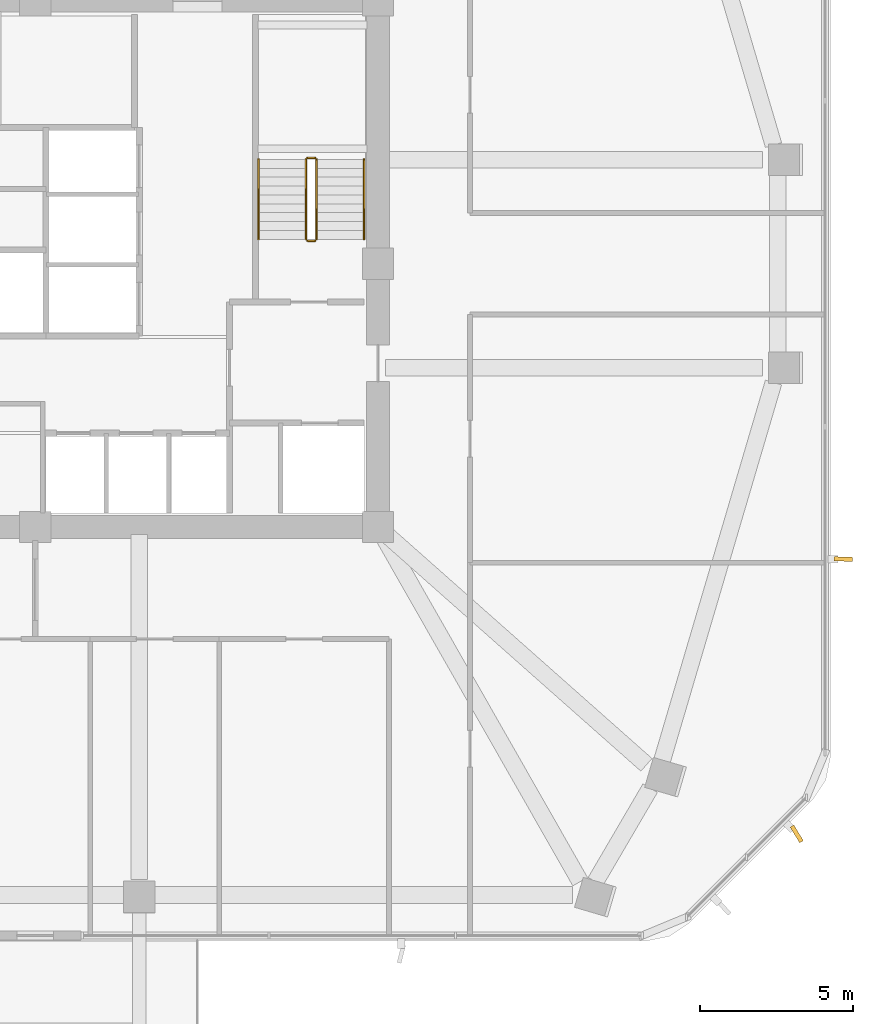
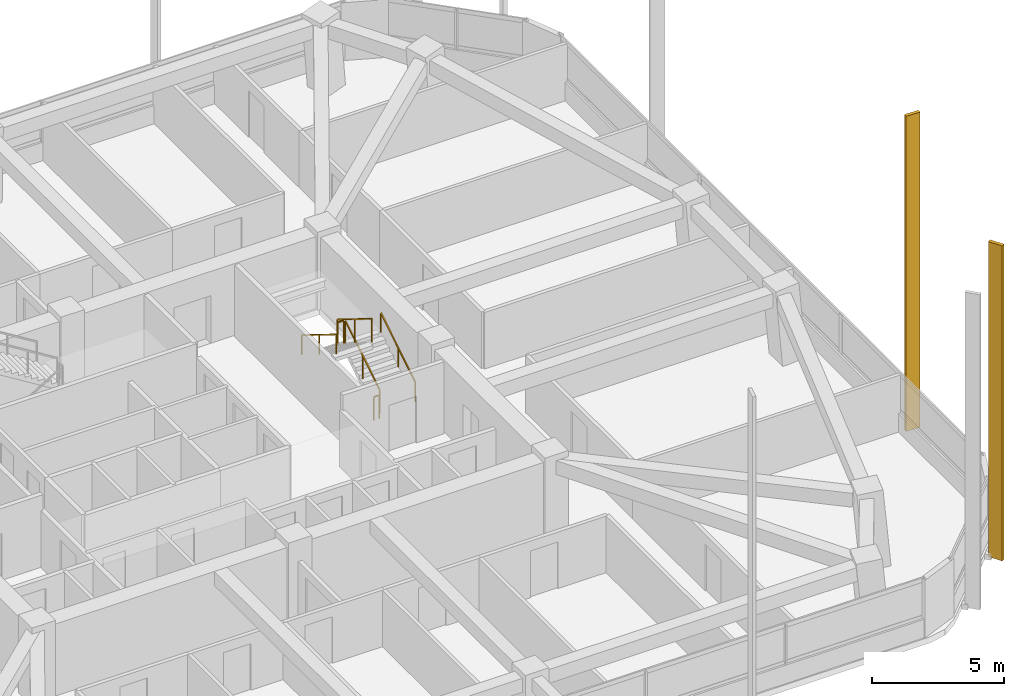
# One storey, part 14 of 15: 6 railings, 2 shading devices.
"""IFC4 building model written with IfcOpenShell, lengths in metres."""

from ifc_helpers import new_model, si_unit, derived_unit, direction, frame, origin, origin_2d, place, context, subcontext, project, spatial, rectangle, extrude, material, type_object, element, save


model = new_model("IFC4")

# Units and contexts
model_context = context("Model", 3, precision=1e-05, world=origin(), true_north=direction((0.0, 1.0)))
body_context = subcontext(model_context, "Body", "Model", "MODEL_VIEW")
ifc_project = project(units=[si_unit("LENGTHUNIT", "METRE"), si_unit("AREAUNIT", "SQUARE_METRE"), si_unit("VOLUMEUNIT", "CUBIC_METRE"), si_unit("PLANEANGLEUNIT", "RADIAN"), si_unit("MASSUNIT", "GRAM", prefix="KILO"), derived_unit("THERMALTRANSMITTANCEUNIT", [(si_unit("POWERUNIT", "WATT"), 1), (si_unit("LENGTHUNIT", "METRE"), -2), (si_unit("THERMODYNAMICTEMPERATUREUNIT", "KELVIN"), -1)])], contexts=[model_context])

# Site, building, storey
site_placement = place(None, origin())
site = spatial("IfcSite", under=ifc_project, at=site_placement, CompositionType="ELEMENT")
building_placement = place(site_placement, origin())
building = spatial("IfcBuilding", under=site, at=building_placement, Name="Koralith Skygarden Medical Center", CompositionType="ELEMENT")
storey_placement = place(building_placement, frame((0.0, 0.0, 99.179931640625)))
storey = spatial("IfcBuildingStorey", under=building, at=storey_placement, Name="L25", CompositionType="ELEMENT", Elevation=99.179931640625)

# Shading devices
ifc_material_1 = material(Name="Aluminium 6063-T6", Category="aluminium")
shading_device_type = type_object("IfcShadingDeviceType", Name="Limestone-Clad Solar Storm Fin 600", PredefinedType="USERDEFINED", material=ifc_material_1)
for number, where, z_axis, x_axis, name in (
    (1, (61.888916015625, 7.26806640625, -0.2001953125), (0.0, 0.0, 1.0), (0.517280366086, -0.855815998251, 0.0), "L25 SE Harmonic Solar Storm Fin 2"),
    (2, (63.4130859375, 16.2490234375, -0.2001953125), (0.0, 0.0, 1.0), (0.999357491162, -0.035841384727, 0.0), "L25 E Harmonic Solar Storm Fin 1"),
):
    element("IfcShadingDevice", number, at=place(storey_placement, frame(where, z_axis=z_axis, x_axis=x_axis)), inside=storey, type_object=shading_device_type, Name=name, ObjectType="SOLAR FIN", PredefinedType="USERDEFINED", context=body_context, shape_type="SweptSolid", body=[
        extrude(rectangle(XDim=0.60009765625, YDim=0.139892578125, at=origin_2d()), origin(), (0.0, 0.0, 1.0), 14.550048828125),
    ])

# Railings
ifc_material_2 = material(Name="Steel ASTM A500 Grade C", Category="steel")
railing_type_1 = type_object("IfcRailingType", Name="Stair Flight Tubular Handrail 920", PredefinedType="HANDRAIL", material=ifc_material_2)
railing_1_placement = place(storey_placement, frame((47.75, 26.699951171875, 0.18017578125)))
element("IfcRailing", 3, at=railing_1_placement, inside=storey, type_object=railing_type_1, Name="L25 ST2 stair handrail 1", PredefinedType="HANDRAIL", context=body_context, shape_type="SweptSolid", body=[
    extrude(rectangle(XDim=0.050048828125, YDim=0.050048828125, at=origin_2d()), frame((0.0, 0.001708984375, 0.89599609375), z_axis=(0.0, 0.849668407637, 0.527317358963), x_axis=(-1.0, 0.0, 0.0)), (0.0, 0.0, 1.0), 3.06787109375),
    extrude(rectangle(XDim=0.0419921875, YDim=0.0419921875, at=origin_2d()), origin(), (0.0, 0.0, 1.0), 0.867919921875),
    extrude(rectangle(XDim=0.0419921875, YDim=0.0419921875, at=origin_2d()), frame((0.0, 1.30517578125, 0.81005859375)), (0.0, 0.0, 1.0), 0.867919921875),
    extrude(rectangle(XDim=0.0419921875, YDim=0.0419921875, at=origin_2d()), frame((0.0, 2.610107421875, 1.619873046875)), (0.0, 0.0, 1.0), 0.867919921875),
])
railing_2_placement = place(storey_placement, frame((44.300048828125, 29.31005859375, 1.97998046875)))
element("IfcRailing", 4, at=railing_2_placement, inside=storey, type_object=railing_type_1, Name="L25 ST2 stair handrail 2", PredefinedType="HANDRAIL", context=body_context, shape_type="SweptSolid", body=[
    extrude(rectangle(XDim=0.050048828125, YDim=0.050048828125, at=origin_2d()), frame((0.0, -0.001708984375, 0.89599609375), z_axis=(0.0, -0.849632798774, 0.527374731332), x_axis=(1.0, 0.0, 0.0)), (0.0, 0.0, 1.0), 3.068115234375),
    extrude(rectangle(XDim=0.0419921875, YDim=0.0419921875, at=origin_2d()), origin(), (0.0, 0.0, 1.0), 0.867919921875),
    extrude(rectangle(XDim=0.0419921875, YDim=0.0419921875, at=origin_2d()), frame((0.0, -1.30517578125, 0.81005859375)), (0.0, 0.0, 1.0), 0.867919921875),
    extrude(rectangle(XDim=0.0419921875, YDim=0.0419921875, at=origin_2d()), frame((0.0, -2.610107421875, 1.6201171875)), (0.0, 0.0, 1.0), 0.867919921875),
])
railing_type_2 = type_object("IfcRailingType", Name="Stair Well Safety Guardrail 1100", PredefinedType="GUARDRAIL", material=ifc_material_2)
railing_3_placement = place(storey_placement, frame((46.199951171875, 26.699951171875, 0.18017578125)))
element("IfcRailing", 5, at=railing_3_placement, inside=storey, type_object=railing_type_2, Name="L25 ST2 stair guard 1", PredefinedType="GUARDRAIL", context=body_context, shape_type="SweptSolid", body=[
    extrude(rectangle(XDim=0.050048828125, YDim=0.050048828125, at=origin_2d()), frame((0.0, 0.001708984375, 1.076171875), z_axis=(0.0, 0.849668407637, 0.527317358963), x_axis=(-1.0, 0.0, 0.0)), (0.0, 0.0, 1.0), 3.06787109375),
    extrude(rectangle(XDim=0.0419921875, YDim=0.0419921875, at=origin_2d()), origin(), (0.0, 0.0, 1.0), 1.048095703125),
    extrude(rectangle(XDim=0.0419921875, YDim=0.0419921875, at=origin_2d()), frame((0.0, 1.30517578125, 0.81005859375)), (0.0, 0.0, 1.0), 1.048095703125),
    extrude(rectangle(XDim=0.0419921875, YDim=0.0419921875, at=origin_2d()), frame((0.0, 2.610107421875, 1.619873046875)), (0.0, 0.0, 1.0), 1.048095703125),
])
railing_4_placement = place(storey_placement, frame((46.14990234375, 29.360107421875, 1.800048828125)))
element("IfcRailing", 6, at=railing_4_placement, inside=storey, type_object=railing_type_2, Name="L25 ST2 stair guard 2", PredefinedType="GUARDRAIL", context=body_context, shape_type="SweptSolid", body=[
    extrude(rectangle(XDim=0.050048828125, YDim=0.050048828125, at=origin_2d()), frame((-0.001953125, 0.0, 1.0751953125), z_axis=(-1.0, 0.0, 0.0), x_axis=(0.0, -1.0, 0.0)), (0.0, 0.0, 1.0), 0.24609375),
    extrude(rectangle(XDim=0.0419921875, YDim=0.0419921875, at=origin_2d()), origin(), (0.0, 0.0, 1.0), 1.048095703125),
    extrude(rectangle(XDim=0.0419921875, YDim=0.0419921875, at=origin_2d()), frame((-0.25, 0.0, 0.0)), (0.0, 0.0, 1.0), 1.048095703125),
])
railing_5_placement = place(storey_placement, frame((45.85009765625, 29.31005859375, 1.97998046875)))
element("IfcRailing", 7, at=railing_5_placement, inside=storey, type_object=railing_type_2, Name="L25 ST2 stair guard 3", PredefinedType="GUARDRAIL", context=body_context, shape_type="SweptSolid", body=[
    extrude(rectangle(XDim=0.050048828125, YDim=0.050048828125, at=origin_2d()), frame((0.0, -0.001708984375, 1.076171875), z_axis=(0.0, -0.849632798774, 0.527374731332), x_axis=(1.0, 0.0, 0.0)), (0.0, 0.0, 1.0), 3.068115234375),
    extrude(rectangle(XDim=0.0419921875, YDim=0.0419921875, at=origin_2d()), origin(), (0.0, 0.0, 1.0), 1.048095703125),
    extrude(rectangle(XDim=0.0419921875, YDim=0.0419921875, at=origin_2d()), frame((0.0, -1.30517578125, 0.81005859375)), (0.0, 0.0, 1.0), 1.048095703125),
    extrude(rectangle(XDim=0.0419921875, YDim=0.0419921875, at=origin_2d()), frame((0.0, -2.610107421875, 1.6201171875)), (0.0, 0.0, 1.0), 1.048095703125),
])
railing_6_placement = place(storey_placement, frame((46.14990234375, 26.64990234375, 0.0)))
element("IfcRailing", 8, at=railing_6_placement, inside=storey, type_object=railing_type_2, Name="L25 ST2 stair guard 4", PredefinedType="GUARDRAIL", context=body_context, shape_type="SweptSolid", body=[
    extrude(rectangle(XDim=0.050048828125, YDim=0.050048828125, at=origin_2d()), frame((-0.001953125, 0.0, 1.0751953125), z_axis=(-1.0, 0.0, 0.0), x_axis=(0.0, -1.0, 0.0)), (0.0, 0.0, 1.0), 0.24609375),
    extrude(rectangle(XDim=0.0419921875, YDim=0.0419921875, at=origin_2d()), origin(), (0.0, 0.0, 1.0), 1.048095703125),
    extrude(rectangle(XDim=0.0419921875, YDim=0.0419921875, at=origin_2d()), frame((-0.25, 0.0, 0.0)), (0.0, 0.0, 1.0), 1.048095703125),
])

save(model, "model.ifc")
